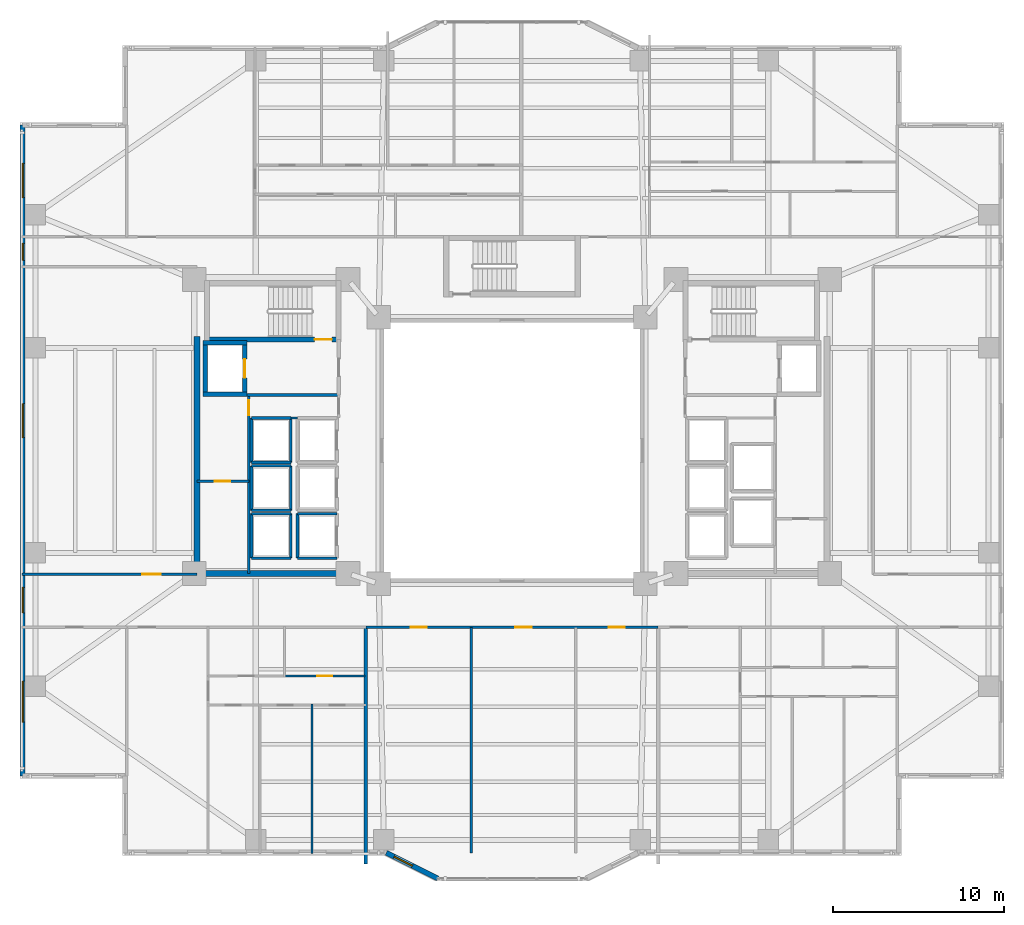
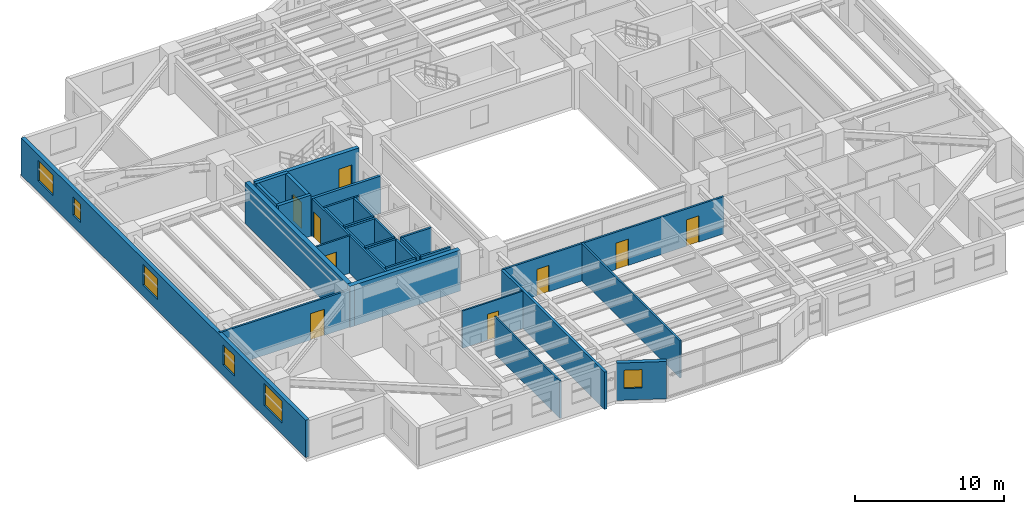
# One storey, part 10 of 20: 34 walls, 9 doors, 6 windows, 15 openings.
"""IFC4 building model written with IfcOpenShell, lengths in metres."""

from ifc_helpers import new_model, si_unit, direction, frame, frame_2d, origin, place, context, subcontext, project, spatial, rectangle, extrude, material, layer, layer_set, type_object, element, fill, save


model = new_model("IFC4")

# Units and contexts
model_context = context("Model", 3, precision=1e-05, world=origin(), true_north=direction((0.0, 1.0)))
body_context = subcontext(model_context, "Body", "Model", "MODEL_VIEW")
ifc_project = project(units=[si_unit("LENGTHUNIT", "METRE"), si_unit("AREAUNIT", "SQUARE_METRE"), si_unit("VOLUMEUNIT", "CUBIC_METRE"), si_unit("PLANEANGLEUNIT", "RADIAN"), si_unit("MASSUNIT", "GRAM", prefix="KILO")], contexts=[model_context])

# Site, building, storey
site_placement = place(None, origin())
site = spatial("IfcSite", under=ifc_project, at=site_placement, CompositionType="ELEMENT")
building_placement = place(site_placement, origin())
building = spatial("IfcBuilding", under=site, at=building_placement, Name="Tarnavaz Court Tower", CompositionType="ELEMENT")
storey_placement = place(building_placement, frame((0.0, 0.0, 60.85009765625)))
storey = spatial("IfcBuildingStorey", under=building, at=storey_placement, Name="L16", CompositionType="ELEMENT", Elevation=60.85009765625)

# Wall
ifc_material_1 = material(Name="Concrete C60/75", Category="concrete")
ifc_layer_1 = layer(ifc_material_1, 0.25)
ifc_layer_set_1 = layer_set([ifc_layer_1], Name="Concrete C60/75")
wall_type_1 = type_object("IfcWallType", Name="WL-CORE-250-C60", PredefinedType="SHEAR", material=ifc_layer_set_1)
wall_1_placement = place(storey_placement, frame((-17.949951171875, 3.175048828125, 0.0), z_axis=(0.0, 0.0, 1.0), x_axis=(0.0, 1.0, 0.0)))
element("IfcWall", 1, at=wall_1_placement, inside=storey, type_object=wall_type_1, Name="L16 Lift FL-W1 Shaft Wall 017", PredefinedType="SHEAR", context=body_context, shape_type="SweptSolid", body=[
    extrude(rectangle(XDim=3.25, YDim=0.25, at=frame_2d((1.625, 0.0))), origin(), (0.0, 0.0, 1.0), 3.349853515625),
])

# Wall, opening, door
wall_2_placement = place(storey_placement, frame((-15.64990234375, 3.175048828125, 0.0), z_axis=(0.0, 0.0, 1.0), x_axis=(0.0, 1.0, 0.0)))
wall_2 = element("IfcWall", 2, at=wall_2_placement, inside=storey, type_object=wall_type_1, Name="L16 Lift FL-W1 Shaft Wall 018", PredefinedType="SHEAR", context=body_context, shape_type="SweptSolid", body=[
    extrude(rectangle(XDim=3.25, YDim=0.25, at=frame_2d((1.625, 0.0))), origin(), (0.0, 0.0, 1.0), 3.349853515625),
])
opening_1_placement = place(wall_2_placement, frame((1.074951171875, 0.0, 0.0)))
opening_1 = element("IfcOpeningElement", 3, at=opening_1_placement, cuts=wall_2, Name="Opening LD1", PredefinedType="OPENING", context=body_context, shape_type="SweptSolid", body=[
    extrude(rectangle(XDim=1.10009765625, YDim=2.14990234375, at=frame_2d((0.550048828125, 1.074951171875))), frame((0.0, 0.135009765625, 0.0), z_axis=(0.0, -1.0, 0.0), x_axis=(1.0, 0.0, 0.0)), (0.0, 0.0, 1.0), 0.27001953125),
])
ifc_material_2 = material(Name="Stainless Steel", Category="steel")
door_type_1 = type_object("IfcDoorType", Name="DR-LD-1100", OperationType="NOTDEFINED", PredefinedType="DOOR", material=ifc_material_2)
door_1_placement = place(opening_1_placement, origin())
door_1 = element("IfcDoor", 4, at=door_1_placement, inside=storey, type_object=door_type_1, Name="L16 Lift Landing Door LD-FL-W1", OperationType="SLIDING_TO_LEFT", OverallHeight=2.14990234375, OverallWidth=1.10009765625, PredefinedType="DOOR", context=body_context, shape_type="SweptSolid", body=[
    extrude(rectangle(XDim=1.10009765625, YDim=2.14990234375, at=frame_2d((0.550048828125, 1.074951171875))), frame((0.0, 0.02490234375, 0.0), z_axis=(0.0, -1.0, 0.0), x_axis=(1.0, 0.0, 0.0)), (0.0, 0.0, 1.0), 0.050048828125),
])
fill(opening_1, door_1)

# Walls
for number, where, z_axis, x_axis, name in (
    (5, (-18.074951171875, 3.300048828125, 0.0), (0.0, 0.0, 1.0), (1.0, 0.0, 0.0), "L16 Lift FL-W1 Shaft Wall 019"),
    (6, (-18.074951171875, 6.300048828125, 0.0), (0.0, 0.0, 1.0), (1.0, 0.0, 0.0), "L16 Lift FL-W1 Shaft Wall 020"),
):
    element("IfcWall", number, at=place(storey_placement, frame(where, z_axis=z_axis, x_axis=x_axis)), inside=storey, type_object=wall_type_1, Name=name, PredefinedType="SHEAR", context=body_context, shape_type="SweptSolid", body=[
        extrude(rectangle(XDim=2.550048828125, YDim=0.25, at=frame_2d((1.27490234375, 0.0))), origin(), (0.0, 0.0, 1.0), 3.349853515625),
    ])

# Wall, opening, door
ifc_layer_2 = layer(ifc_material_1, 0.300048828125)
ifc_layer_set_2 = layer_set([ifc_layer_2], Name="Concrete C60/75")
wall_type_2 = type_object("IfcWallType", Name="WL-CORE-300-C60", PredefinedType="SHEAR", material=ifc_layer_set_2)
wall_3_placement = place(storey_placement, frame((-18.0, 6.5, 0.0), z_axis=(0.0, 0.0, 1.0), x_axis=(1.0, 0.0, 0.0)))
wall_3 = element("IfcWall", 7, at=wall_3_placement, inside=storey, type_object=wall_type_2, Name="L16 West Stair Core Wall 002", PredefinedType="SHEAR", context=body_context, shape_type="SweptSolid", body=[
    extrude(rectangle(XDim=8.0, YDim=0.300048828125, at=frame_2d((4.0, 0.0))), origin(), (0.0, 0.0, 1.0), 3.349853515625),
])
opening_2_placement = place(wall_3_placement, frame((6.449951171875, 0.0, 0.0)))
opening_2 = element("IfcOpeningElement", 8, at=opening_2_placement, cuts=wall_3, Name="Opening D01", PredefinedType="OPENING", context=body_context, shape_type="SweptSolid", body=[
    extrude(rectangle(XDim=1.0, YDim=2.14990234375, at=frame_2d((0.5, 1.074951171875))), frame((0.0, 0.159912109375, 0.0), z_axis=(0.0, -1.0, 0.0), x_axis=(1.0, 0.0, 0.0)), (0.0, 0.0, 1.0), 0.320068359375),
])
ifc_material_3 = material(Name="Fire-Rated Hardwood Timber Core", Category="wood")
door_type_2 = type_object("IfcDoorType", Name="DR-FD90-1000", OperationType="NOTDEFINED", PredefinedType="DOOR", material=ifc_material_3)
door_2_placement = place(opening_2_placement, origin())
door_2 = element("IfcDoor", 9, at=door_2_placement, inside=storey, type_object=door_type_2, Name="L16 Stair ST-W1 Exit Door", OperationType="SINGLE_SWING_LEFT", OverallHeight=2.14990234375, OverallWidth=1.0, PredefinedType="DOOR", context=body_context, shape_type="SweptSolid", body=[
    extrude(rectangle(XDim=1.0, YDim=2.14990234375, at=frame_2d((0.5, 1.074951171875))), frame((0.0, 0.02490234375, 0.0), z_axis=(0.0, -1.0, 0.0), x_axis=(1.0, 0.0, 0.0)), (0.0, 0.0, 1.0), 0.050048828125),
])
fill(opening_2, door_2)

# Walls
ifc_layer_3 = layer(ifc_material_1, 0.35009765625)
ifc_layer_set_3 = layer_set([ifc_layer_3], Name="Concrete C60/75")
wall_type_3 = type_object("IfcWallType", Name="WL-CORE-350-C60", PredefinedType="SHEAR", material=ifc_layer_set_3)
wall_4_placement = place(storey_placement, frame((-18.449951171875, -7.375, 0.0), z_axis=(0.0, 0.0, 1.0), x_axis=(0.0, 1.0, 0.0)))
element("IfcWall", 10, at=wall_4_placement, inside=storey, type_object=wall_type_3, Name="L16 West Core Shear Wall 069", PredefinedType="SHEAR", context=body_context, shape_type="SweptSolid", body=[
    extrude(rectangle(XDim=14.050048828125, YDim=0.35009765625, at=frame_2d((7.02490234375, 0.0))), origin(), (0.0, 0.0, 1.0), 3.349853515625),
])
wall_5_placement = place(storey_placement, frame((-18.625, -7.199951171875, 0.0), z_axis=(0.0, 0.0, 1.0), x_axis=(1.0, 0.0, 0.0)))
element("IfcWall", 11, at=wall_5_placement, inside=storey, type_object=wall_type_3, Name="L16 West Core South Shear Wall 070", PredefinedType="SHEAR", context=body_context, shape_type="SweptSolid", body=[
    extrude(rectangle(XDim=8.550048828125, YDim=0.35009765625, at=frame_2d((4.27490234375, 0.0))), origin(), (0.0, 0.0, 1.0), 3.349853515625),
])

# Wall, openings, windows
ifc_material_4 = material(Name="Precast Concrete C40/50", Category="concrete")
ifc_layer_4 = layer(ifc_material_4, 0.300048828125)
ifc_layer_set_4 = layer_set([ifc_layer_4], Name="Precast Concrete C40/50")
wall_type_4 = type_object("IfcWallType", Name="WL-EXT-300", PredefinedType="SOLIDWALL", material=ifc_layer_set_4)
wall_6_placement = place(storey_placement, frame((-28.64990234375, -19.050048828125, 0.0), z_axis=(0.0, 0.0, 1.0), x_axis=(0.0, 1.0, 0.0)))
wall_6 = element("IfcWall", 12, at=wall_6_placement, inside=storey, type_object=wall_type_4, Name="L16 Exterior Terracotta Facade Wall 02", PredefinedType="SOLIDWALL", context=body_context, shape_type="SweptSolid", body=[
    extrude(rectangle(XDim=38.10009765625, YDim=0.300048828125, at=frame_2d((19.050048828125, 0.0))), origin(), (0.0, 0.0, 1.0), 3.0498046875),
])
opening_3_placement = place(wall_6_placement, frame((3.14990234375, 0.0, 0.89990234375)))
opening_3 = element("IfcOpeningElement", 13, at=opening_3_placement, cuts=wall_6, Name="Opening W06", PredefinedType="OPENING", context=body_context, shape_type="SweptSolid", body=[
    extrude(rectangle(XDim=2.39990234375, YDim=1.800048828125, at=frame_2d((1.199951171875, 0.89990234375))), frame((0.0, 0.159912109375, 0.0), z_axis=(0.0, -1.0, 0.0), x_axis=(1.0, 0.0, 0.0)), (0.0, 0.0, 1.0), 0.320068359375),
])
opening_4_placement = place(wall_6_placement, frame((9.54248046875, 0.0, 0.89990234375)))
opening_4 = element("IfcOpeningElement", 14, at=opening_4_placement, cuts=wall_6, Name="Opening W03", PredefinedType="OPENING", context=body_context, shape_type="SweptSolid", body=[
    extrude(rectangle(XDim=1.5, YDim=1.64990234375, at=frame_2d((0.75, 0.824951171875))), frame((0.0, 0.159912109375, 0.0), z_axis=(0.0, -1.0, 0.0), x_axis=(1.0, 0.0, 0.0)), (0.0, 0.0, 1.0), 0.320068359375),
])
opening_5_placement = place(wall_6_placement, frame((19.800048828125, 0.0, 0.89990234375)))
opening_5 = element("IfcOpeningElement", 15, at=opening_5_placement, cuts=wall_6, Name="Opening W08", PredefinedType="OPENING", context=body_context, shape_type="SweptSolid", body=[
    extrude(rectangle(XDim=2.0, YDim=1.699951171875, at=frame_2d((1.0, 0.85009765625))), frame((0.0, 0.159912109375, 0.0), z_axis=(0.0, -1.0, 0.0), x_axis=(1.0, 0.0, 0.0)), (0.0, 0.0, 1.0), 0.320068359375),
])
opening_6_placement = place(wall_6_placement, frame((30.175048828125, 0.0, 0.949951171875)))
opening_6 = element("IfcOpeningElement", 16, at=opening_6_placement, cuts=wall_6, Name="Opening W14", PredefinedType="OPENING", context=body_context, shape_type="SweptSolid", body=[
    extrude(rectangle(XDim=1.0, YDim=1.5, at=frame_2d((0.5, 0.75))), frame((0.0, 0.159912109375, 0.0), z_axis=(0.0, -1.0, 0.0), x_axis=(1.0, 0.0, 0.0)), (0.0, 0.0, 1.0), 0.320068359375),
])
opening_7_placement = place(wall_6_placement, frame((33.85009765625, 0.0, 0.89990234375)))
opening_7 = element("IfcOpeningElement", 17, at=opening_7_placement, cuts=wall_6, Name="Opening W08", PredefinedType="OPENING", context=body_context, shape_type="SweptSolid", body=[
    extrude(rectangle(XDim=2.0, YDim=1.699951171875, at=frame_2d((1.0, 0.85009765625))), frame((0.0, 0.159912109375, 0.0), z_axis=(0.0, -1.0, 0.0), x_axis=(1.0, 0.0, 0.0)), (0.0, 0.0, 1.0), 0.320068359375),
])
ifc_material_5 = material(Name="Double-Glazed Solar Low-E Glass", Category="glass")
window_type_1 = type_object("IfcWindowType", Name="WN-APT-1000", PartitioningType="SINGLE_PANEL", PredefinedType="WINDOW", material=ifc_material_5)
window_1_placement = place(opening_6_placement, origin())
window_1 = element("IfcWindow", 18, at=window_1_placement, inside=storey, type_object=window_type_1, Name="L16 North-West Corner Corridor Window", OverallHeight=1.5, OverallWidth=1.0, PartitioningType="SINGLE_PANEL", PredefinedType="WINDOW", context=body_context, shape_type="SweptSolid", body=[
    extrude(rectangle(XDim=1.0, YDim=1.5, at=frame_2d((0.5, 0.75))), frame((0.0, 0.030029296875, 0.0), z_axis=(0.0, -1.0, 0.0), x_axis=(1.0, 0.0, 0.0)), (0.0, 0.0, 1.0), 0.06005859375),
])
fill(opening_6, window_1)
window_type_2 = type_object("IfcWindowType", Name="WN-APT-1500", PartitioningType="DOUBLE_PANEL_VERTICAL", PredefinedType="WINDOW", material=ifc_material_5)
window_2_placement = place(opening_4_placement, origin())
window_2 = element("IfcWindow", 19, at=window_2_placement, inside=storey, type_object=window_type_2, Name="L16 South-West Corner Corridor Window", OverallHeight=1.64990234375, OverallWidth=1.5, PartitioningType="SINGLE_PANEL", PredefinedType="WINDOW", context=body_context, shape_type="SweptSolid", body=[
    extrude(rectangle(XDim=1.5, YDim=1.64990234375, at=frame_2d((0.75, 0.824951171875))), frame((0.0, 0.030029296875, 0.0), z_axis=(0.0, -1.0, 0.0), x_axis=(1.0, 0.0, 0.0)), (0.0, 0.0, 1.0), 0.06005859375),
])
fill(opening_4, window_2)
window_type_3 = type_object("IfcWindowType", Name="WN-APT-2000", PartitioningType="DOUBLE_PANEL_VERTICAL", PredefinedType="WINDOW", material=ifc_material_5)
window_3_placement = place(opening_5_placement, origin())
window_3 = element("IfcWindow", 20, at=window_3_placement, inside=storey, type_object=window_type_3, Name="L16 West Wing Panoramic Study Gallery Window", OverallHeight=1.699951171875, OverallWidth=2.0, PartitioningType="SINGLE_PANEL", PredefinedType="WINDOW", context=body_context, shape_type="SweptSolid", body=[
    extrude(rectangle(XDim=2.0, YDim=1.699951171875, at=frame_2d((1.0, 0.85009765625))), frame((0.0, 0.030029296875, 0.0), z_axis=(0.0, -1.0, 0.0), x_axis=(1.0, 0.0, 0.0)), (0.0, 0.0, 1.0), 0.06005859375),
])
fill(opening_5, window_3)
window_4_placement = place(opening_7_placement, origin())
window_4 = element("IfcWindow", 21, at=window_4_placement, inside=storey, type_object=window_type_3, Name="L16 North-West Corner Sunroom Study Window", OverallHeight=1.699951171875, OverallWidth=2.0, PartitioningType="SINGLE_PANEL", PredefinedType="WINDOW", context=body_context, shape_type="SweptSolid", body=[
    extrude(rectangle(XDim=2.0, YDim=1.699951171875, at=frame_2d((1.0, 0.85009765625))), frame((0.0, 0.030029296875, 0.0), z_axis=(0.0, -1.0, 0.0), x_axis=(1.0, 0.0, 0.0)), (0.0, 0.0, 1.0), 0.06005859375),
])
fill(opening_7, window_4)
window_type_4 = type_object("IfcWindowType", Name="WN-APT-2400", PartitioningType="TRIPLE_PANEL_VERTICAL", PredefinedType="WINDOW", material=ifc_material_5)
window_5_placement = place(opening_3_placement, origin())
window_5 = element("IfcWindow", 22, at=window_5_placement, inside=storey, type_object=window_type_4, Name="L16 South-West Corner Reading Room Window", OverallHeight=1.800048828125, OverallWidth=2.39990234375, PartitioningType="SINGLE_PANEL", PredefinedType="WINDOW", context=body_context, shape_type="SweptSolid", body=[
    extrude(rectangle(XDim=2.39990234375, YDim=1.800048828125, at=frame_2d((1.199951171875, 0.89990234375))), frame((0.0, 0.030029296875, 0.0), z_axis=(0.0, -1.0, 0.0), x_axis=(1.0, 0.0, 0.0)), (0.0, 0.0, 1.0), 0.06005859375),
])
fill(opening_3, window_5)

# Wall, opening, window
wall_7_placement = place(storey_placement, frame((-4.35009765625, -25.050048828125, 0.0), z_axis=(0.0, 0.0, 1.0), x_axis=(-0.894427191, 0.4472135955, 0.0)))
wall_7 = element("IfcWall", 23, at=wall_7_placement, inside=storey, type_object=wall_type_4, Name="L16 Exterior Terracotta Facade Wall 18", PredefinedType="SOLIDWALL", context=body_context, shape_type="SweptSolid", body=[
    extrude(rectangle(XDim=3.35400390625, YDim=0.300048828125, at=frame_2d((1.677001953125, 0.0))), origin(), (0.0, 0.0, 1.0), 3.0498046875),
])
opening_8_placement = place(wall_7_placement, frame((1.65283203125, 0.0, 0.949951171875)))
opening_8 = element("IfcOpeningElement", 24, at=opening_8_placement, cuts=wall_7, Name="Opening W05", PredefinedType="OPENING", context=body_context, shape_type="SweptSolid", body=[
    extrude(rectangle(XDim=1.199951171875, YDim=1.5, at=frame_2d((0.60009765625, 0.75))), frame((0.0, 0.159912109375, 0.0), z_axis=(0.0, -1.0, 0.0), x_axis=(1.0, 0.0, 0.0)), (0.0, 0.0, 1.0), 0.320068359375),
])
window_type_5 = type_object("IfcWindowType", Name="WN-APT-1200", PartitioningType="SINGLE_PANEL", PredefinedType="WINDOW", material=ifc_material_5)
window_6_placement = place(opening_8_placement, origin())
window_6 = element("IfcWindow", 25, at=window_6_placement, inside=storey, type_object=window_type_5, Name="L16 Resident Fitness and Yoga Studio Window", OverallHeight=1.5, OverallWidth=1.199951171875, PartitioningType="SINGLE_PANEL", PredefinedType="WINDOW", context=body_context, shape_type="SweptSolid", body=[
    extrude(rectangle(XDim=1.199951171875, YDim=1.5, at=frame_2d((0.60009765625, 0.75))), frame((0.0, 0.030029296875, 0.0), z_axis=(0.0, -1.0, 0.0), x_axis=(1.0, 0.0, 0.0)), (0.0, 0.0, 1.0), 0.06005859375),
])
fill(opening_8, window_6)

# Wall, openings, doors
ifc_material_6 = material(Name="Gypsum Fire-Board on Acoustic Metal Stud", Category="masonry")
ifc_layer_5 = layer(ifc_material_6, 0.14990234375)
ifc_layer_set_5 = layer_set([ifc_layer_5], Name="Gypsum Fire-Board on Acoustic Metal Stud")
wall_type_5 = type_object("IfcWallType", Name="WL-FIRE-150", PredefinedType="PARTITIONING", material=ifc_layer_set_5)
wall_8_placement = place(storey_placement, frame((-8.550048828125, -10.35009765625, 0.0), z_axis=(0.0, 0.0, 1.0), x_axis=(1.0, 0.0, 0.0)))
wall_8 = element("IfcWall", 26, at=wall_8_placement, inside=storey, type_object=wall_type_5, Name="L16 South Ring Corridor Wall 085", PredefinedType="PARTITIONING", context=body_context, shape_type="SweptSolid", body=[
    extrude(rectangle(XDim=17.10009765625, YDim=0.14990234375, at=frame_2d((8.550048828125, 0.0))), origin(), (0.0, 0.0, 1.0), 3.0498046875),
])
opening_9_placement = place(wall_8_placement, frame((2.617919921875, 0.0, 0.0)))
opening_9 = element("IfcOpeningElement", 27, at=opening_9_placement, cuts=wall_8, Name="Opening D13", PredefinedType="OPENING", context=body_context, shape_type="SweptSolid", body=[
    extrude(rectangle(XDim=0.949951171875, YDim=2.14990234375, at=frame_2d((0.47509765625, 1.074951171875))), frame((0.0, 0.0849609375, 0.0), z_axis=(0.0, -1.0, 0.0), x_axis=(1.0, 0.0, 0.0)), (0.0, 0.0, 1.0), 0.169921875),
])
opening_10_placement = place(wall_8_placement, frame((8.75390625, 0.0, 0.0)))
opening_10 = element("IfcOpeningElement", 28, at=opening_10_placement, cuts=wall_8, Name="Opening D13", PredefinedType="OPENING", context=body_context, shape_type="SweptSolid", body=[
    extrude(rectangle(XDim=0.949951171875, YDim=2.14990234375, at=frame_2d((0.47509765625, 1.074951171875))), frame((0.0, 0.0849609375, 0.0), z_axis=(0.0, -1.0, 0.0), x_axis=(1.0, 0.0, 0.0)), (0.0, 0.0, 1.0), 0.169921875),
])
opening_11_placement = place(wall_8_placement, frame((14.2109375, 0.0, 0.0)))
opening_11 = element("IfcOpeningElement", 29, at=opening_11_placement, cuts=wall_8, Name="Opening D13", PredefinedType="OPENING", context=body_context, shape_type="SweptSolid", body=[
    extrude(rectangle(XDim=0.949951171875, YDim=2.14990234375, at=frame_2d((0.47509765625, 1.074951171875))), frame((0.0, 0.0849609375, 0.0), z_axis=(0.0, -1.0, 0.0), x_axis=(1.0, 0.0, 0.0)), (0.0, 0.0, 1.0), 0.169921875),
])
ifc_material_7 = material(Name="Engineered Oak Timber", Category="wood")
door_type_3 = type_object("IfcDoorType", Name="DR-INT-950", OperationType="NOTDEFINED", PredefinedType="DOOR", material=ifc_material_7)
door_3_placement = place(opening_9_placement, origin())
door_3 = element("IfcDoor", 30, at=door_3_placement, inside=storey, type_object=door_type_3, Name="L16 Resident Fitness and Yoga Studio Door", OperationType="SINGLE_SWING_RIGHT", OverallHeight=2.14990234375, OverallWidth=0.949951171875, PredefinedType="DOOR", context=body_context, shape_type="SweptSolid", body=[
    extrude(rectangle(XDim=0.949951171875, YDim=2.14990234375, at=frame_2d((0.47509765625, 1.074951171875))), frame((0.0, 0.02490234375, 0.0), z_axis=(0.0, -1.0, 0.0), x_axis=(1.0, 0.0, 0.0)), (0.0, 0.0, 1.0), 0.050048828125),
])
fill(opening_9, door_3)
door_4_placement = place(opening_10_placement, origin())
door_4 = element("IfcDoor", 31, at=door_4_placement, inside=storey, type_object=door_type_3, Name="L16 Children Playroom and Daycare Door", OperationType="SINGLE_SWING_LEFT", OverallHeight=2.14990234375, OverallWidth=0.949951171875, PredefinedType="DOOR", context=body_context, shape_type="SweptSolid", body=[
    extrude(rectangle(XDim=0.949951171875, YDim=2.14990234375, at=frame_2d((0.47509765625, 1.074951171875))), frame((0.0, 0.02490234375, 0.0), z_axis=(0.0, -1.0, 0.0), x_axis=(1.0, 0.0, 0.0)), (0.0, 0.0, 1.0), 0.050048828125),
])
fill(opening_10, door_4)
door_5_placement = place(opening_11_placement, origin())
door_5 = element("IfcDoor", 32, at=door_5_placement, inside=storey, type_object=door_type_3, Name="L16 Shared Community Tea Pantry Door", OperationType="SINGLE_SWING_RIGHT", OverallHeight=2.14990234375, OverallWidth=0.949951171875, PredefinedType="DOOR", context=body_context, shape_type="SweptSolid", body=[
    extrude(rectangle(XDim=0.949951171875, YDim=2.14990234375, at=frame_2d((0.47509765625, 1.074951171875))), frame((0.0, 0.02490234375, 0.0), z_axis=(0.0, -1.0, 0.0), x_axis=(1.0, 0.0, 0.0)), (0.0, 0.0, 1.0), 0.050048828125),
])
fill(opening_11, door_5)

# Wall, opening, door
wall_9_placement = place(storey_placement, frame((-28.679931640625, -7.25, 0.0), z_axis=(0.0, 0.0, 1.0), x_axis=(1.0, 0.0, 0.0)))
wall_9 = element("IfcWall", 33, at=wall_9_placement, inside=storey, type_object=wall_type_5, Name="L16 Interior Partition 121", PredefinedType="PARTITIONING", context=body_context, shape_type="SweptSolid", body=[
    extrude(rectangle(XDim=10.22998046875, YDim=0.14990234375, at=frame_2d((5.114990234375, 0.0))), origin(), (0.0, 0.0, 1.0), 3.0498046875),
])
opening_12_placement = place(wall_9_placement, frame((7.030029296875, 0.0, 0.0)))
opening_12 = element("IfcOpeningElement", 34, at=opening_12_placement, cuts=wall_9, Name="Opening D12", PredefinedType="OPENING", context=body_context, shape_type="SweptSolid", body=[
    extrude(rectangle(XDim=1.080078125, YDim=2.14990234375, at=frame_2d((0.5400390625, 1.074951171875))), frame((0.0, 0.0849609375, 0.0), z_axis=(0.0, -1.0, 0.0), x_axis=(1.0, 0.0, 0.0)), (0.0, 0.0, 1.0), 0.169921875),
])
door_type_4 = type_object("IfcDoorType", Name="DR-INT-1100", OperationType="NOTDEFINED", PredefinedType="DOOR", material=ifc_material_7)
door_6_placement = place(opening_12_placement, origin())
door_6 = element("IfcDoor", 35, at=door_6_placement, inside=storey, type_object=door_type_4, Name="L16 West Study Gallery Door", OperationType="SINGLE_SWING_LEFT", OverallHeight=2.14990234375, OverallWidth=1.080078125, PredefinedType="DOOR", context=body_context, shape_type="SweptSolid", body=[
    extrude(rectangle(XDim=1.080078125, YDim=2.14990234375, at=frame_2d((0.5400390625, 1.074951171875))), frame((0.0, 0.02490234375, 0.0), z_axis=(0.0, -1.0, 0.0), x_axis=(1.0, 0.0, 0.0)), (0.0, 0.0, 1.0), 0.050048828125),
])
fill(opening_12, door_6)

# Walls
ifc_material_8 = material(Name="Autoclaved Aerated Concrete Blockwork", Category="masonry")
ifc_layer_6 = layer(ifc_material_8, 0.199951171875)
ifc_layer_set_6 = layer_set([ifc_layer_6], Name="Autoclaved Aerated Concrete Blockwork")
wall_type_6 = type_object("IfcWallType", Name="WL-FIRE-200", PredefinedType="SOLIDWALL", material=ifc_layer_set_6)
wall_10_placement = place(storey_placement, frame((-15.550048828125, 3.25, 0.0), z_axis=(0.0, 0.0, 1.0), x_axis=(1.0, 0.0, 0.0)))
element("IfcWall", 36, at=wall_10_placement, inside=storey, type_object=wall_type_6, Name="L16 West Firefighting Lobby Wall 013", PredefinedType="SOLIDWALL", context=body_context, shape_type="SweptSolid", body=[
    extrude(rectangle(XDim=5.400146484375, YDim=0.199951171875, at=frame_2d((2.7001953125, 0.0))), origin(), (0.0, 0.0, 1.0), 3.0498046875),
])
wall_11_placement = place(storey_placement, frame((-8.550048828125, -24.2041015625, 0.0), z_axis=(0.0, 0.0, 1.0), x_axis=(0.0, 1.0, 0.0)))
element("IfcWall", 37, at=wall_11_placement, inside=storey, type_object=wall_type_6, Name="L16 Party Wall 117", PredefinedType="SOLIDWALL", context=body_context, shape_type="SweptSolid", body=[
    extrude(rectangle(XDim=13.85400390625, YDim=0.199951171875, at=frame_2d((6.927001953125, 0.0))), origin(), (0.0, 0.0, 1.0), 3.0498046875),
])

# Wall, opening, door
ifc_material_9 = material(Name="Moisture-Resistant Gypsum Board Partition", Category="masonry")
ifc_layer_7 = layer(ifc_material_9, 0.1201171875)
ifc_layer_set_7 = layer_set([ifc_layer_7], Name="Moisture-Resistant Gypsum Board Partition")
wall_type_7 = type_object("IfcWallType", Name="WL-PART-120", PredefinedType="PARTITIONING", material=ifc_layer_set_7)
wall_12_placement = place(storey_placement, frame((-13.31494140625, -13.199951171875, 0.0), z_axis=(0.0, 0.0, 1.0), x_axis=(1.0, 0.0, 0.0)))
wall_12 = element("IfcWall", 38, at=wall_12_placement, inside=storey, type_object=wall_type_7, Name="L16 Interior Partition 105", PredefinedType="PARTITIONING", context=body_context, shape_type="SweptSolid", body=[
    extrude(rectangle(XDim=4.71484375, YDim=0.1201171875, at=frame_2d((2.357421875, 0.0))), origin(), (0.0, 0.0, 1.0), 3.0498046875),
])
opening_13_placement = place(wall_12_placement, frame((1.9169921875, 0.0, 0.0)))
opening_13 = element("IfcOpeningElement", 39, at=opening_13_placement, cuts=wall_12, Name="Opening D14", PredefinedType="OPENING", context=body_context, shape_type="SweptSolid", body=[
    extrude(rectangle(XDim=0.8798828125, YDim=2.10009765625, at=frame_2d((0.43994140625, 1.050048828125))), frame((0.0, 0.070068359375, 0.0), z_axis=(0.0, -1.0, 0.0), x_axis=(1.0, 0.0, 0.0)), (0.0, 0.0, 1.0), 0.14013671875),
])
door_type_5 = type_object("IfcDoorType", Name="DR-INT-900", OperationType="NOTDEFINED", PredefinedType="DOOR", material=ifc_material_7)
door_7_placement = place(opening_13_placement, origin())
door_7 = element("IfcDoor", 40, at=door_7_placement, inside=storey, type_object=door_type_5, Name="L16 Flat 03 Bathroom Door", OperationType="SINGLE_SWING_LEFT", OverallHeight=2.10009765625, OverallWidth=0.8798828125, PredefinedType="DOOR", context=body_context, shape_type="SweptSolid", body=[
    extrude(rectangle(XDim=0.8798828125, YDim=2.10009765625, at=frame_2d((0.43994140625, 1.050048828125))), frame((0.0, 0.02490234375, 0.0), z_axis=(0.0, -1.0, 0.0), x_axis=(1.0, 0.0, 0.0)), (0.0, 0.0, 1.0), 0.050048828125),
])
fill(opening_13, door_7)

# Walls
wall_13_placement = place(storey_placement, frame((-11.702880859375, -23.60009765625, 0.0), z_axis=(0.0, 0.0, 1.0), x_axis=(0.0, 1.0, 0.0)))
element("IfcWall", 41, at=wall_13_placement, inside=storey, type_object=wall_type_7, Name="L16 Interior Partition 109", PredefinedType="PARTITIONING", context=body_context, shape_type="SweptSolid", body=[
    extrude(rectangle(XDim=8.75, YDim=0.1201171875, at=frame_2d((4.375, 0.0))), origin(), (0.0, 0.0, 1.0), 3.0498046875),
])
ifc_material_10 = material(Name="Gypsum Plasterboard Acoustic Partition", Category="masonry")
ifc_layer_8 = layer(ifc_material_10, 0.139892578125)
ifc_layer_set_8 = layer_set([ifc_layer_8], Name="Gypsum Plasterboard Acoustic Partition")
wall_type_8 = type_object("IfcWallType", Name="WL-PART-150", PredefinedType="PARTITIONING", material=ifc_layer_set_8)
wall_14_placement = place(storey_placement, frame((-12.949951171875, 1.89990234375, 0.0), z_axis=(0.0, 0.0, 1.0), x_axis=(1.0, 0.0, 0.0)))
element("IfcWall", 42, at=wall_14_placement, inside=storey, type_object=wall_type_8, Name="L16 Interior Partition 073", PredefinedType="PARTITIONING", context=body_context, shape_type="SweptSolid", body=[
    extrude(rectangle(XDim=0.39990234375, YDim=0.139892578125, at=frame_2d((0.199951171875, 0.0))), origin(), (0.0, 0.0, 1.0), 3.0498046875),
])

# Wall, opening, door
wall_15_placement = place(storey_placement, frame((-15.39990234375, -7.199951171875, 0.0), z_axis=(0.0, 0.0, 1.0), x_axis=(0.0, 1.0, 0.0)))
wall_15 = element("IfcWall", 43, at=wall_15_placement, inside=storey, type_object=wall_type_8, Name="L16 Interior Partition 075", PredefinedType="PARTITIONING", context=body_context, shape_type="SweptSolid", body=[
    extrude(rectangle(XDim=10.449951171875, YDim=0.139892578125, at=frame_2d((5.22509765625, 0.0))), origin(), (0.0, 0.0, 1.0), 3.0498046875),
])
opening_14_placement = place(wall_15_placement, frame((9.25, 0.0, 0.0)))
opening_14 = element("IfcOpeningElement", 44, at=opening_14_placement, cuts=wall_15, Name="Opening D09", PredefinedType="OPENING", context=body_context, shape_type="SweptSolid", body=[
    extrude(rectangle(XDim=0.89990234375, YDim=2.080078125, at=frame_2d((0.449951171875, 1.0400390625))), frame((0.0, 0.079833984375, 0.0), z_axis=(0.0, -1.0, 0.0), x_axis=(1.0, 0.0, 0.0)), (0.0, 0.0, 1.0), 0.159912109375),
])
door_type_6 = type_object("IfcDoorType", Name="DR-FD30-900", OperationType="NOTDEFINED", PredefinedType="DOOR", material=ifc_material_3)
door_8_placement = place(opening_14_placement, origin())
door_8 = element("IfcDoor", 45, at=door_8_placement, inside=storey, type_object=door_type_6, Name="L16 West Telecom Room Door", OperationType="SINGLE_SWING_RIGHT", OverallHeight=2.080078125, OverallWidth=0.89990234375, PredefinedType="DOOR", context=body_context, shape_type="SweptSolid", body=[
    extrude(rectangle(XDim=0.89990234375, YDim=2.080078125, at=frame_2d((0.449951171875, 1.0400390625))), frame((0.0, 0.02490234375, 0.0), z_axis=(0.0, -1.0, 0.0), x_axis=(1.0, 0.0, 0.0)), (0.0, 0.0, 1.0), 0.050048828125),
])
fill(opening_14, door_8)

wall_16_placement = place(storey_placement, frame((-18.449951171875, -1.800048828125, 0.0), z_axis=(0.0, 0.0, 1.0), x_axis=(1.0, 0.0, 0.0)))
wall_16 = element("IfcWall", 46, at=wall_16_placement, inside=storey, type_object=wall_type_8, Name="L16 Interior Partition 076", PredefinedType="PARTITIONING", context=body_context, shape_type="SweptSolid", body=[
    extrude(rectangle(XDim=3.050048828125, YDim=0.139892578125, at=frame_2d((1.52490234375, 0.0))), origin(), (0.0, 0.0, 1.0), 3.0498046875),
])
opening_15_placement = place(wall_16_placement, frame((1.050048828125, 0.0, 0.0)))
opening_15 = element("IfcOpeningElement", 47, at=opening_15_placement, cuts=wall_16, Name="Opening D09", PredefinedType="OPENING", context=body_context, shape_type="SweptSolid", body=[
    extrude(rectangle(XDim=0.89990234375, YDim=2.080078125, at=frame_2d((0.449951171875, 1.0400390625))), frame((0.0, 0.079833984375, 0.0), z_axis=(0.0, -1.0, 0.0), x_axis=(1.0, 0.0, 0.0)), (0.0, 0.0, 1.0), 0.159912109375),
])
door_9_placement = place(opening_15_placement, origin())
door_9 = element("IfcDoor", 48, at=door_9_placement, inside=storey, type_object=door_type_6, Name="L16 West Electrical Room Door", OperationType="SINGLE_SWING_LEFT", OverallHeight=2.080078125, OverallWidth=0.89990234375, PredefinedType="DOOR", context=body_context, shape_type="SweptSolid", body=[
    extrude(rectangle(XDim=0.89990234375, YDim=2.080078125, at=frame_2d((0.449951171875, 1.0400390625))), frame((0.0, 0.02490234375, 0.0), z_axis=(0.0, -1.0, 0.0), x_axis=(1.0, 0.0, 0.0)), (0.0, 0.0, 1.0), 0.050048828125),
])
fill(opening_15, door_9)

# Walls
wall_17_placement = place(storey_placement, frame((-2.3740234375, -23.550048828125, 0.0), z_axis=(0.0, 0.0, 1.0), x_axis=(0.0, 1.0, 0.0)))
element("IfcWall", 49, at=wall_17_placement, inside=storey, type_object=wall_type_8, Name="L16 Interior Partition 119", PredefinedType="PARTITIONING", context=body_context, shape_type="SweptSolid", body=[
    extrude(rectangle(XDim=13.199951171875, YDim=0.139892578125, at=frame_2d((6.60009765625, 0.0))), origin(), (0.0, 0.0, 1.0), 3.0498046875),
])
ifc_layer_9 = layer(ifc_material_8, 0.159912109375)
ifc_layer_set_9 = layer_set([ifc_layer_9], Name="Autoclaved Aerated Concrete Blockwork")
wall_type_9 = type_object("IfcWallType", Name="WL-SHAFT-150", PredefinedType="SOLIDWALL", material=ifc_layer_set_9)
wall_18_placement = place(storey_placement, frame((-12.550048828125, -6.300048828125, 0.0), z_axis=(0.0, 0.0, 1.0), x_axis=(0.0, 1.0, 0.0)))
element("IfcWall", 50, at=wall_18_placement, inside=storey, type_object=wall_type_9, Name="L16 Lift PL-L1 Shaft Wall 021", PredefinedType="SOLIDWALL", context=body_context, shape_type="SweptSolid", body=[
    extrude(rectangle(XDim=2.60009765625, YDim=0.159912109375, at=frame_2d((1.300048828125, 0.0))), origin(), (0.0, 0.0, 1.0), 3.0498046875),
])
for number, where, z_axis, x_axis, name in (
    (51, (-12.550048828125, -6.300048828125, 0.0), (0.0, 0.0, 1.0), (1.0, 0.0, 0.0), "L16 Lift PL-L1 Shaft Wall 023"),
    (52, (-12.550048828125, -3.699951171875, 0.0), (0.0, 0.0, 1.0), (1.0, 0.0, 0.0), "L16 Lift PL-L1 Shaft Wall 024"),
):
    element("IfcWall", number, at=place(storey_placement, frame(where, z_axis=z_axis, x_axis=x_axis)), inside=storey, type_object=wall_type_9, Name=name, PredefinedType="SOLIDWALL", context=body_context, shape_type="SweptSolid", body=[
        extrude(rectangle(XDim=2.300048828125, YDim=0.159912109375, at=frame_2d((1.14990234375, 0.0))), origin(), (0.0, 0.0, 1.0), 3.0498046875),
    ])
for number, where, z_axis, x_axis, name in (
    (53, (-15.25, -6.300048828125, 0.0), (0.0, 0.0, 1.0), (0.0, 1.0, 0.0), "L16 Lift PL-H1 Shaft Wall 033"),
    (54, (-12.949951171875, -6.300048828125, 0.0), (0.0, 0.0, 1.0), (0.0, 1.0, 0.0), "L16 Lift PL-H1 Shaft Wall 034"),
):
    element("IfcWall", number, at=place(storey_placement, frame(where, z_axis=z_axis, x_axis=x_axis)), inside=storey, type_object=wall_type_9, Name=name, PredefinedType="SOLIDWALL", context=body_context, shape_type="SweptSolid", body=[
        extrude(rectangle(XDim=2.60009765625, YDim=0.159912109375, at=frame_2d((1.300048828125, 0.0))), origin(), (0.0, 0.0, 1.0), 3.0498046875),
    ])
for number, where, z_axis, x_axis, name in (
    (55, (-15.25, -6.300048828125, 0.0), (0.0, 0.0, 1.0), (1.0, 0.0, 0.0), "L16 Lift PL-H1 Shaft Wall 035"),
    (56, (-15.25, -3.699951171875, 0.0), (0.0, 0.0, 1.0), (1.0, 0.0, 0.0), "L16 Lift PL-H1 Shaft Wall 036"),
):
    element("IfcWall", number, at=place(storey_placement, frame(where, z_axis=z_axis, x_axis=x_axis)), inside=storey, type_object=wall_type_9, Name=name, PredefinedType="SOLIDWALL", context=body_context, shape_type="SweptSolid", body=[
        extrude(rectangle(XDim=2.300048828125, YDim=0.159912109375, at=frame_2d((1.14990234375, 0.0))), origin(), (0.0, 0.0, 1.0), 3.0498046875),
    ])
for number, where, z_axis, x_axis, name in (
    (57, (-15.25, -3.5, 0.0), (0.0, 0.0, 1.0), (0.0, 1.0, 0.0), "L16 Lift PL-H2 Shaft Wall 037"),
    (58, (-12.949951171875, -3.5, 0.0), (0.0, 0.0, 1.0), (0.0, 1.0, 0.0), "L16 Lift PL-H2 Shaft Wall 038"),
):
    element("IfcWall", number, at=place(storey_placement, frame(where, z_axis=z_axis, x_axis=x_axis)), inside=storey, type_object=wall_type_9, Name=name, PredefinedType="SOLIDWALL", context=body_context, shape_type="SweptSolid", body=[
        extrude(rectangle(XDim=2.60009765625, YDim=0.159912109375, at=frame_2d((1.300048828125, 0.0))), origin(), (0.0, 0.0, 1.0), 3.0498046875),
    ])
for number, where, z_axis, x_axis, name in (
    (59, (-15.25, -3.5, 0.0), (0.0, 0.0, 1.0), (1.0, 0.0, 0.0), "L16 Lift PL-H2 Shaft Wall 039"),
    (60, (-15.25, -0.89990234375, 0.0), (0.0, 0.0, 1.0), (1.0, 0.0, 0.0), "L16 Lift PL-H2 Shaft Wall 040"),
):
    element("IfcWall", number, at=place(storey_placement, frame(where, z_axis=z_axis, x_axis=x_axis)), inside=storey, type_object=wall_type_9, Name=name, PredefinedType="SOLIDWALL", context=body_context, shape_type="SweptSolid", body=[
        extrude(rectangle(XDim=2.300048828125, YDim=0.159912109375, at=frame_2d((1.14990234375, 0.0))), origin(), (0.0, 0.0, 1.0), 3.0498046875),
    ])
for number, where, z_axis, x_axis, name in (
    (61, (-15.25, -0.699951171875, 0.0), (0.0, 0.0, 1.0), (0.0, 1.0, 0.0), "L16 Lift PL-H3 Shaft Wall 041"),
    (62, (-12.949951171875, -0.699951171875, 0.0), (0.0, 0.0, 1.0), (0.0, 1.0, 0.0), "L16 Lift PL-H3 Shaft Wall 042"),
):
    element("IfcWall", number, at=place(storey_placement, frame(where, z_axis=z_axis, x_axis=x_axis)), inside=storey, type_object=wall_type_9, Name=name, PredefinedType="SOLIDWALL", context=body_context, shape_type="SweptSolid", body=[
        extrude(rectangle(XDim=2.599853515625, YDim=0.159912109375, at=frame_2d((1.2998046875, 0.0))), origin(), (0.0, 0.0, 1.0), 3.0498046875),
    ])
for number, where, z_axis, x_axis, name in (
    (63, (-15.25, -0.699951171875, 0.0), (0.0, 0.0, 1.0), (1.0, 0.0, 0.0), "L16 Lift PL-H3 Shaft Wall 043"),
    (64, (-15.25, 1.89990234375, 0.0), (0.0, 0.0, 1.0), (1.0, 0.0, 0.0), "L16 Lift PL-H3 Shaft Wall 044"),
):
    element("IfcWall", number, at=place(storey_placement, frame(where, z_axis=z_axis, x_axis=x_axis)), inside=storey, type_object=wall_type_9, Name=name, PredefinedType="SOLIDWALL", context=body_context, shape_type="SweptSolid", body=[
        extrude(rectangle(XDim=2.300048828125, YDim=0.159912109375, at=frame_2d((1.14990234375, 0.0))), origin(), (0.0, 0.0, 1.0), 3.0498046875),
    ])

save(model, "model.ifc")
